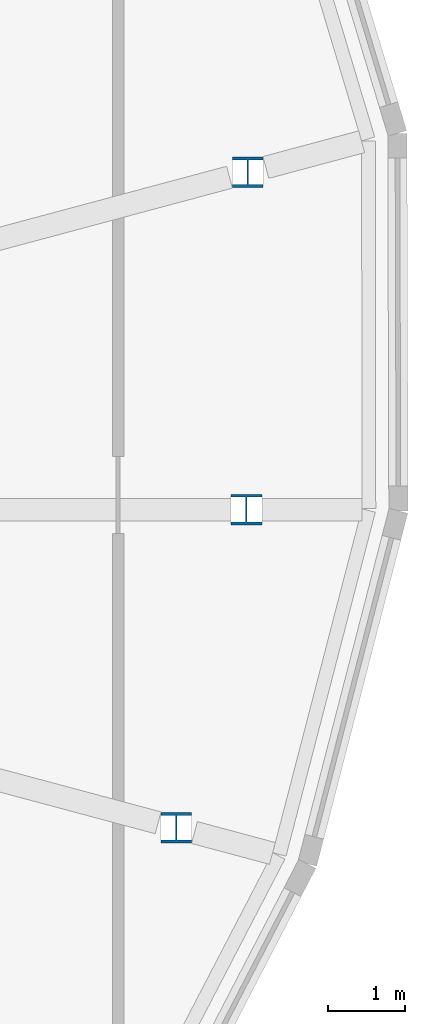
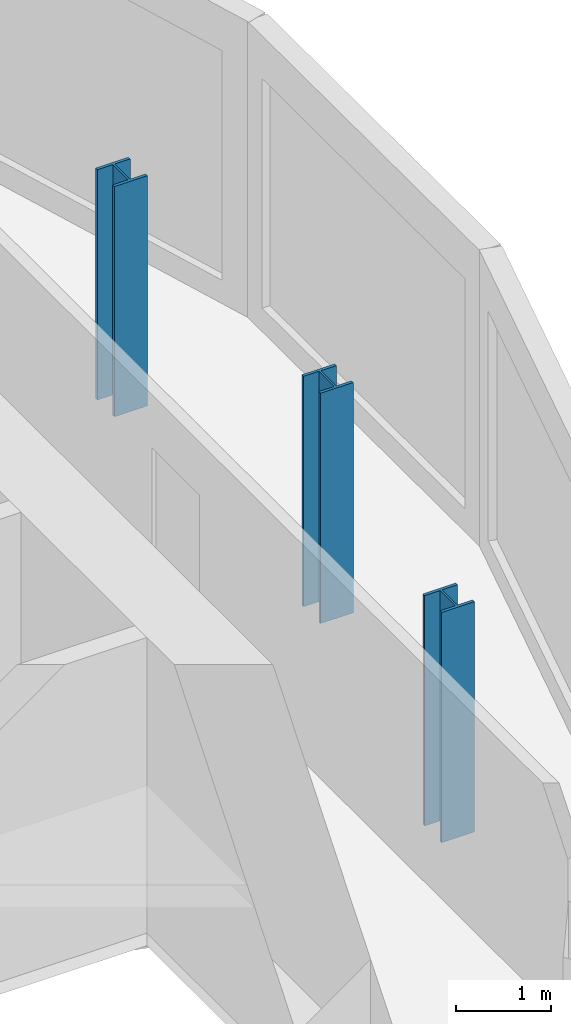
# One storey, part 2 of 37: 3 columns.
"""IFC4 building model written with IfcOpenShell, lengths in metres."""

from ifc_helpers import new_model, si_unit, direction, frame, origin, origin_2d, place, context, subcontext, project, spatial, i_section, extrude, material, material_profile, profile_set, type_object, element, save


model = new_model("IFC4")

# Units and contexts
model_context = context("Model", 3, precision=1e-05, world=origin(), true_north=direction((0.0, 1.0)))
body_context = subcontext(model_context, "Body", "Model", "MODEL_VIEW")
ifc_project = project(units=[si_unit("LENGTHUNIT", "METRE"), si_unit("AREAUNIT", "SQUARE_METRE"), si_unit("VOLUMEUNIT", "CUBIC_METRE"), si_unit("PLANEANGLEUNIT", "RADIAN"), si_unit("MASSUNIT", "GRAM", prefix="KILO")], contexts=[model_context])

# Site, building, storey
site_placement = place(None, origin())
site = spatial("IfcSite", under=ifc_project, at=site_placement, CompositionType="ELEMENT")
building_placement = place(site_placement, origin())
building = spatial("IfcBuilding", under=site, at=building_placement, Name="Rimbun Link Towers", CompositionType="ELEMENT")
storey_placement = place(building_placement, frame((0.0, 0.0, 45.199951171875)))
storey = spatial("IfcBuildingStorey", under=building, at=storey_placement, Name="L10", CompositionType="ELEMENT", Elevation=45.199951171875)

# Columns
ifc_material = material(Name="Steel S355J2", Category="steel")
ifc_material_profile = material_profile(ifc_material, i_section(OverallWidth=0.39892578125, OverallDepth=0.3935546875, WebThickness=0.022705078125, FlangeThickness=0.03662109375, at=origin_2d()), Name="UC 356x406x287")
ifc_profile_set = profile_set([ifc_material_profile], Name="Steel S355J2")
column_type = type_object("IfcColumnType", Name="UC 356x406x287", PredefinedType="COLUMN", material=ifc_profile_set)
for number, where, z_axis, x_axis, name in (
    (1, (47.128662109375, -4.12060546875, -0.159912109375), (0.0, 0.0, 1.0), (1.0, 0.0, 0.0), "Crease post T2 L10 20"),
    (2, (48.03662109375, 0.0, -0.159912109375), (0.0, 0.0, 1.0), (1.0, 0.0, 0.0), "Crease post T2 L10 21"),
    (3, (48.05419921875, 4.36865234375, -0.159912109375), (0.0, 0.0, 1.0), (1.0, 0.0, 0.0), "Crease post T2 L10 22"),
):
    element("IfcColumn", number, at=place(storey_placement, frame(where, z_axis=z_axis, x_axis=x_axis)), inside=storey, type_object=column_type, Name=name, PredefinedType="COLUMN", context=body_context, shape_type="SweptSolid", body=[
        extrude(i_section(OverallWidth=0.39892578125, OverallDepth=0.3935546875, WebThickness=0.022705078125, FlangeThickness=0.03662109375, at=origin_2d()), origin(), (0.0, 0.0, 1.0), 2.959228515625),
    ])

save(model, "model.ifc")
